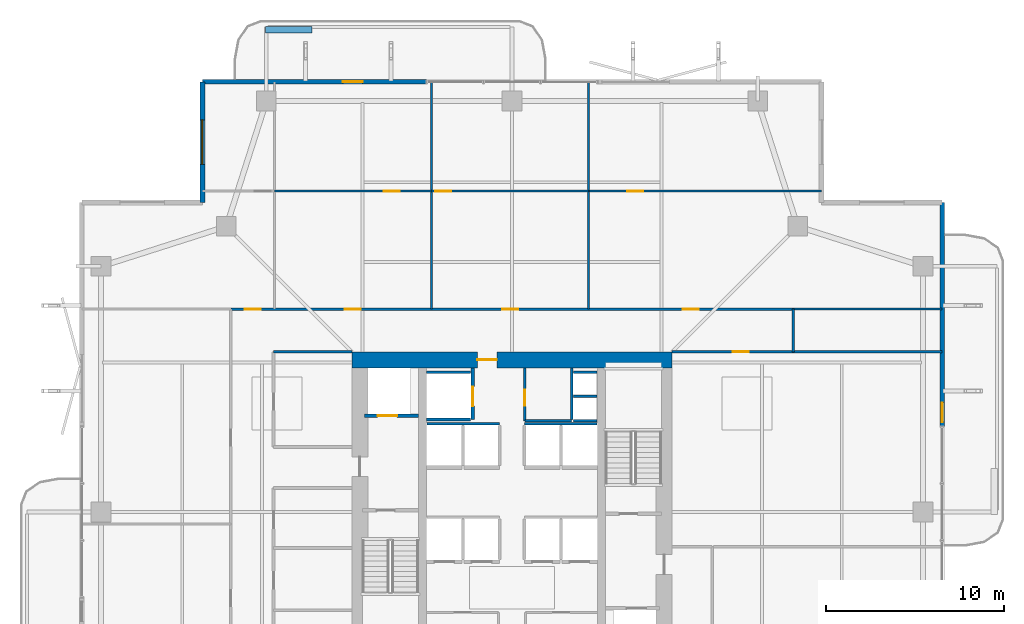
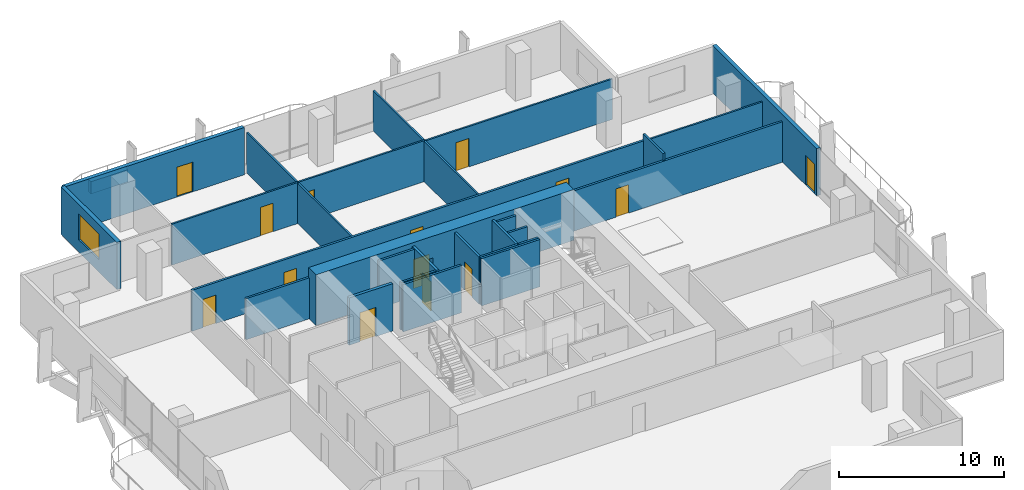
# One storey, part 20 of 24: 27 walls, 14 doors, 1 window, 15 openings.
"""IFC4 building model written with IfcOpenShell, lengths in metres."""

from ifc_helpers import new_model, si_unit, direction, frame, frame_2d, origin, place, context, subcontext, project, spatial, rectangle, extrude, material, layer, layer_set, type_object, element, fill, save


model = new_model("IFC4")

# Units and contexts
model_context = context("Model", 3, precision=1e-05, world=origin(), true_north=direction((0.0, 1.0)))
body_context = subcontext(model_context, "Body", "Model", "MODEL_VIEW")
ifc_project = project(units=[si_unit("LENGTHUNIT", "METRE"), si_unit("AREAUNIT", "SQUARE_METRE"), si_unit("VOLUMEUNIT", "CUBIC_METRE"), si_unit("PLANEANGLEUNIT", "RADIAN"), si_unit("MASSUNIT", "GRAM", prefix="KILO")], contexts=[model_context])

# Site, building, storey
site_placement = place(None, origin())
site = spatial("IfcSite", under=ifc_project, at=site_placement, CompositionType="ELEMENT")
building_placement = place(site_placement, origin())
building = spatial("IfcBuilding", under=site, at=building_placement, Name="Belovzor Exchange Tower", CompositionType="ELEMENT")
storey_placement = place(building_placement, frame((0.0, 0.0, 145.800048828125)))
storey = spatial("IfcBuildingStorey", under=building, at=storey_placement, Name="L35", CompositionType="ELEMENT", Elevation=145.800048828125)

# Wall, opening, door
ifc_material_1 = material(Name="Acoustic Plasterboard on Galvanised Studs", Category="gypsum")
ifc_layer_1 = layer(ifc_material_1, 0.1201171875)
ifc_layer_set_1 = layer_set([ifc_layer_1], Name="Acoustic Plasterboard on Galvanised Studs")
wall_type_1 = type_object("IfcWallType", Name="Acoustic Double-Stud Partition Wall 120", PredefinedType="PARTITIONING", material=ifc_layer_set_1)
wall_1_placement = place(storey_placement, frame((15.443115234375, 46.833984375, 0.0), z_axis=(0.0, 0.0, 1.0), x_axis=(1.0, 0.0, 0.0)))
wall_1 = element("IfcWall", 1, at=wall_1_placement, inside=storey, type_object=wall_type_1, Name="W-P120 Partition Wall W-L35-NHDIV-1", PredefinedType="PARTITIONING", context=body_context, shape_type="SweptSolid", body=[
    extrude(rectangle(XDim=8.830810546875, YDim=0.1201171875, at=frame_2d((4.41552734375, 0.0))), origin(), (0.0, 0.0, 1.0), 3.030029296875),
])
opening_1_placement = place(wall_1_placement, frame((6.162109375, 0.0, 0.0)))
opening_1 = element("IfcOpeningElement", 2, at=opening_1_placement, cuts=wall_1, Name="Opening D-INT-090", PredefinedType="OPENING", context=body_context, shape_type="SweptSolid", body=[
    extrude(rectangle(XDim=0.89990234375, YDim=2.10009765625, at=frame_2d((0.449951171875, 1.050048828125))), frame((0.0, 0.070068359375, 0.0), z_axis=(0.0, -1.0, 0.0), x_axis=(1.0, 0.0, 0.0)), (0.0, 0.0, 1.0), 0.14013671875),
])
ifc_material_2 = material(Name="Veneered Hardwood Acoustic Leaf", Category="wood")
door_type_1 = type_object("IfcDoorType", Name="Trading Suite Acoustic Single Door 900x2100", OperationType="NOTDEFINED", PredefinedType="DOOR", material=ifc_material_2)
door_1_placement = place(opening_1_placement, origin())
door_1 = element("IfcDoor", 3, at=door_1_placement, inside=storey, type_object=door_type_1, Name="D-INT-090 Trading Suite Acoustic Single Door 900x2100", OperationType="SINGLE_SWING_RIGHT", OverallHeight=2.10009765625, OverallWidth=0.89990234375, PredefinedType="DOOR", context=body_context, shape_type="SweptSolid", body=[
    extrude(rectangle(XDim=0.89990234375, YDim=2.10009765625, at=frame_2d((0.449951171875, 1.050048828125))), frame((0.0, 0.02490234375, 0.0), z_axis=(0.0, -1.0, 0.0), x_axis=(1.0, 0.0, 0.0)), (0.0, 0.0, 1.0), 0.050048828125),
])
fill(opening_1, door_1)

# Wall
wall_2_placement = place(storey_placement, frame((24.27392578125, 40.199951171875, 0.0), z_axis=(0.0, 0.0, 1.0), x_axis=(0.0, 1.0, 0.0)))
element("IfcWall", 4, at=wall_2_placement, inside=storey, type_object=wall_type_1, Name="W-P120 Partition Wall W-L35-NDIV-2", PredefinedType="PARTITIONING", context=body_context, shape_type="SweptSolid", body=[
    extrude(rectangle(XDim=12.77001953125, YDim=0.1201171875, at=frame_2d((6.385009765625, 0.0))), origin(), (0.0, 0.0, 1.0), 2.97998046875),
])

# Wall, opening, door
wall_3_placement = place(storey_placement, frame((24.27392578125, 46.833984375, 0.0), z_axis=(0.0, 0.0, 1.0), x_axis=(1.0, 0.0, 0.0)))
wall_3 = element("IfcWall", 5, at=wall_3_placement, inside=storey, type_object=wall_type_1, Name="W-P120 Partition Wall W-L35-NHDIV-2", PredefinedType="PARTITIONING", context=body_context, shape_type="SweptSolid", body=[
    extrude(rectangle(XDim=8.8310546875, YDim=0.1201171875, at=frame_2d((4.41552734375, 0.0))), origin(), (0.0, 0.0, 1.0), 3.030029296875),
])
opening_2_placement = place(wall_3_placement, frame((0.199951171875, 0.0, 0.0)))
opening_2 = element("IfcOpeningElement", 6, at=opening_2_placement, cuts=wall_3, Name="Opening D-INT-090", PredefinedType="OPENING", context=body_context, shape_type="SweptSolid", body=[
    extrude(rectangle(XDim=0.89990234375, YDim=2.10009765625, at=frame_2d((0.449951171875, 1.050048828125))), frame((0.0, 0.070068359375, 0.0), z_axis=(0.0, -1.0, 0.0), x_axis=(1.0, 0.0, 0.0)), (0.0, 0.0, 1.0), 0.14013671875),
])
door_2_placement = place(opening_2_placement, origin())
door_2 = element("IfcDoor", 7, at=door_2_placement, inside=storey, type_object=door_type_1, Name="D-INT-090 Trading Suite Acoustic Single Door 900x2100", OperationType="SINGLE_SWING_RIGHT", OverallHeight=2.10009765625, OverallWidth=0.89990234375, PredefinedType="DOOR", context=body_context, shape_type="SweptSolid", body=[
    extrude(rectangle(XDim=0.89990234375, YDim=2.10009765625, at=frame_2d((0.449951171875, 1.050048828125))), frame((0.0, 0.02490234375, 0.0), z_axis=(0.0, -1.0, 0.0), x_axis=(1.0, 0.0, 0.0)), (0.0, 0.0, 1.0), 0.050048828125),
])
fill(opening_2, door_2)

# Wall
wall_4_placement = place(storey_placement, frame((33.10498046875, 40.199951171875, 0.0), z_axis=(0.0, 0.0, 1.0), x_axis=(0.0, 1.0, 0.0)))
element("IfcWall", 8, at=wall_4_placement, inside=storey, type_object=wall_type_1, Name="W-P120 Partition Wall W-L35-NDIV-3", PredefinedType="PARTITIONING", context=body_context, shape_type="SweptSolid", body=[
    extrude(rectangle(XDim=12.77001953125, YDim=0.1201171875, at=frame_2d((6.385009765625, 0.0))), origin(), (0.0, 0.0, 1.0), 2.97998046875),
])

# Wall, opening, door
wall_5_placement = place(storey_placement, frame((33.10498046875, 46.833984375, 0.0), z_axis=(0.0, 0.0, 1.0), x_axis=(1.0, 0.0, 0.0)))
wall_5 = element("IfcWall", 9, at=wall_5_placement, inside=storey, type_object=wall_type_1, Name="W-P120 Partition Wall W-L35-NHDIV-3", PredefinedType="PARTITIONING", context=body_context, shape_type="SweptSolid", body=[
    extrude(rectangle(XDim=13.094970703125, YDim=0.1201171875, at=frame_2d((6.54736328125, 0.0))), origin(), (0.0, 0.0, 1.0), 2.97998046875),
])
opening_3_placement = place(wall_5_placement, frame((2.166015625, 0.0, 0.0)))
opening_3 = element("IfcOpeningElement", 10, at=opening_3_placement, cuts=wall_5, Name="Opening D-INT-090", PredefinedType="OPENING", context=body_context, shape_type="SweptSolid", body=[
    extrude(rectangle(XDim=0.89990234375, YDim=2.10009765625, at=frame_2d((0.449951171875, 1.050048828125))), frame((0.0, 0.070068359375, 0.0), z_axis=(0.0, -1.0, 0.0), x_axis=(1.0, 0.0, 0.0)), (0.0, 0.0, 1.0), 0.14013671875),
])
door_3_placement = place(opening_3_placement, origin())
door_3 = element("IfcDoor", 11, at=door_3_placement, inside=storey, type_object=door_type_1, Name="D-INT-090 Trading Suite Acoustic Single Door 900x2100", OperationType="SINGLE_SWING_RIGHT", OverallHeight=2.10009765625, OverallWidth=0.89990234375, PredefinedType="DOOR", context=body_context, shape_type="SweptSolid", body=[
    extrude(rectangle(XDim=0.89990234375, YDim=2.10009765625, at=frame_2d((0.449951171875, 1.050048828125))), frame((0.0, 0.02490234375, 0.0), z_axis=(0.0, -1.0, 0.0), x_axis=(1.0, 0.0, 0.0)), (0.0, 0.0, 1.0), 0.050048828125),
])
fill(opening_3, door_3)

# Wall
wall_6_placement = place(storey_placement, frame((44.60009765625, 40.199951171875, 0.0), z_axis=(0.0, 0.0, 1.0), x_axis=(1.0, 0.0, 0.0)))
element("IfcWall", 12, at=wall_6_placement, inside=storey, type_object=wall_type_1, Name="W-P120 Partition Wall W-L35-END-NE", PredefinedType="PARTITIONING", context=body_context, shape_type="SweptSolid", body=[
    extrude(rectangle(XDim=8.369873046875, YDim=0.1201171875, at=frame_2d((4.18505859375, 0.0))), origin(), (0.0, 0.0, 1.0), 2.97998046875),
])

# Wall, opening, door
ifc_material_3 = material(Name="Fire-Rated Gypsum Block and Mineral Wool", Category="gypsum")
ifc_layer_2 = layer(ifc_material_3, 0.14990234375)
ifc_layer_set_2 = layer_set([ifc_layer_2], Name="Fire-Rated Gypsum Block and Mineral Wool")
wall_type_2 = type_object("IfcWallType", Name="Fire-Rated Gypsum Block Corridor Wall 150", PredefinedType="PARTITIONING", material=ifc_layer_set_2)
wall_7_placement = place(storey_placement, frame((29.52490234375, 33.925048828125, 0.0), z_axis=(0.0, 0.0, 1.0), x_axis=(0.0, 1.0, 0.0)))
wall_7 = element("IfcWall", 13, at=wall_7_placement, inside=storey, type_object=wall_type_2, Name="W-P150 Partition Wall W-CRV-L35-W", PredefinedType="PARTITIONING", context=body_context, shape_type="SweptSolid", body=[
    extrude(rectangle(XDim=2.974853515625, YDim=0.14990234375, at=frame_2d((1.4873046875, 0.0))), origin(), (0.0, 0.0, 1.0), 3.494873046875),
])
opening_4_placement = place(wall_7_placement, frame((0.85009765625, 0.0, 0.0)))
opening_4 = element("IfcOpeningElement", 14, at=opening_4_placement, cuts=wall_7, Name="Opening D-FD60-090", PredefinedType="OPENING", context=body_context, shape_type="SweptSolid", body=[
    extrude(rectangle(XDim=0.89990234375, YDim=2.10009765625, at=frame_2d((0.449951171875, 1.050048828125))), frame((0.0, 0.0849609375, 0.0), z_axis=(0.0, -1.0, 0.0), x_axis=(1.0, 0.0, 0.0)), (0.0, 0.0, 1.0), 0.169921875),
])
ifc_material_4 = material(Name="Acoustic Timber Fire Leaf", Category="wood")
door_type_2 = type_object("IfcDoorType", Name="Core Service & Restroom Fire Door 900x2100", OperationType="NOTDEFINED", PredefinedType="DOOR", material=ifc_material_4)
door_4_placement = place(opening_4_placement, origin())
door_4 = element("IfcDoor", 15, at=door_4_placement, inside=storey, type_object=door_type_2, Name="D-FD60-090 Core Service & Restroom Fire Door 900x2100", OperationType="SINGLE_SWING_LEFT", OverallHeight=2.10009765625, OverallWidth=0.89990234375, PredefinedType="DOOR", context=body_context, shape_type="SweptSolid", body=[
    extrude(rectangle(XDim=0.89990234375, YDim=2.10009765625, at=frame_2d((0.449951171875, 1.050048828125))), frame((0.0, 0.02490234375, 0.0), z_axis=(0.0, -1.0, 0.0), x_axis=(1.0, 0.0, 0.0)), (0.0, 0.0, 1.0), 0.050048828125),
])
fill(opening_4, door_4)

# Walls
wall_8_placement = place(storey_placement, frame((29.52490234375, 33.925048828125, 0.0), z_axis=(0.0, 0.0, 1.0), x_axis=(1.0, 0.0, 0.0)))
element("IfcWall", 16, at=wall_8_placement, inside=storey, type_object=wall_type_2, Name="W-P150 Partition Wall W-CRV-L35-S", PredefinedType="PARTITIONING", context=body_context, shape_type="SweptSolid", body=[
    extrude(rectangle(XDim=2.625, YDim=0.14990234375, at=frame_2d((1.3125, 0.0))), origin(), (0.0, 0.0, 1.0), 3.494873046875),
])
wall_9_placement = place(storey_placement, frame((15.39990234375, 37.800048828125, 0.0), z_axis=(0.0, 0.0, 1.0), x_axis=(1.0, 0.0, 0.0)))
element("IfcWall", 17, at=wall_9_placement, inside=storey, type_object=wall_type_2, Name="W-P150 Partition Wall W-L35-INW-N", PredefinedType="PARTITIONING", context=body_context, shape_type="SweptSolid", body=[
    extrude(rectangle(XDim=4.400146484375, YDim=0.14990234375, at=frame_2d((2.2001953125, 0.0))), origin(), (0.0, 0.0, 1.0), 3.030029296875),
])
wall_10_placement = place(storey_placement, frame((44.60009765625, 37.800048828125, 0.0), z_axis=(0.0, 0.0, 1.0), x_axis=(0.0, 1.0, 0.0)))
element("IfcWall", 18, at=wall_10_placement, inside=storey, type_object=wall_type_2, Name="W-P150 Partition Wall W-L35-END-EN", PredefinedType="PARTITIONING", context=body_context, shape_type="SweptSolid", body=[
    extrude(rectangle(XDim=2.39990234375, YDim=0.14990234375, at=frame_2d((1.199951171875, 0.0))), origin(), (0.0, 0.0, 1.0), 3.494873046875),
])

# Wall, opening, door
wall_11_placement = place(storey_placement, frame((37.800048828125, 37.800048828125, 0.0), z_axis=(0.0, 0.0, 1.0), x_axis=(1.0, 0.0, 0.0)))
wall_11 = element("IfcWall", 19, at=wall_11_placement, inside=storey, type_object=wall_type_2, Name="W-P150 Partition Wall W-L35-CN-IN", PredefinedType="PARTITIONING", context=body_context, shape_type="SweptSolid", body=[
    extrude(rectangle(XDim=15.169921875, YDim=0.14990234375, at=frame_2d((7.5849609375, 0.0))), origin(), (0.0, 0.0, 1.0), 2.97998046875),
])
opening_5_placement = place(wall_11_placement, frame((3.39990234375, 0.0, 0.0)))
opening_5 = element("IfcOpeningElement", 20, at=opening_5_placement, cuts=wall_11, Name="Opening D-INT-090", PredefinedType="OPENING", context=body_context, shape_type="SweptSolid", body=[
    extrude(rectangle(XDim=0.89990234375, YDim=2.10009765625, at=frame_2d((0.449951171875, 1.050048828125))), frame((0.0, 0.0849609375, 0.0), z_axis=(0.0, -1.0, 0.0), x_axis=(1.0, 0.0, 0.0)), (0.0, 0.0, 1.0), 0.169921875),
])
door_5_placement = place(opening_5_placement, origin())
door_5 = element("IfcDoor", 21, at=door_5_placement, inside=storey, type_object=door_type_1, Name="D-INT-090 Trading Suite Acoustic Single Door 900x2100", OperationType="SINGLE_SWING_RIGHT", OverallHeight=2.10009765625, OverallWidth=0.89990234375, PredefinedType="DOOR", context=body_context, shape_type="SweptSolid", body=[
    extrude(rectangle(XDim=0.89990234375, YDim=2.10009765625, at=frame_2d((0.449951171875, 1.050048828125))), frame((0.0, 0.02490234375, 0.0), z_axis=(0.0, -1.0, 0.0), x_axis=(1.0, 0.0, 0.0)), (0.0, 0.0, 1.0), 0.050048828125),
])
fill(opening_5, door_5)

# Wall, openings, doors
wall_12_placement = place(storey_placement, frame((13.0, 40.199951171875, 0.0), z_axis=(0.0, 0.0, 1.0), x_axis=(1.0, 0.0, 0.0)))
wall_12 = element("IfcWall", 22, at=wall_12_placement, inside=storey, type_object=wall_type_2, Name="W-P150 Partition Wall W-L35-CN", PredefinedType="PARTITIONING", context=body_context, shape_type="SweptSolid", body=[
    extrude(rectangle(XDim=31.60009765625, YDim=0.14990234375, at=frame_2d((15.800048828125, 0.0))), origin(), (0.0, 0.0, 1.0), 3.030029296875),
])
opening_6_placement = place(wall_12_placement, frame((0.77099609375, 0.0, 0.0)))
opening_6 = element("IfcOpeningElement", 23, at=opening_6_placement, cuts=wall_12, Name="Opening D-INT-090", PredefinedType="OPENING", context=body_context, shape_type="SweptSolid", body=[
    extrude(rectangle(XDim=0.89990234375, YDim=2.10009765625, at=frame_2d((0.449951171875, 1.050048828125))), frame((0.0, 0.0849609375, 0.0), z_axis=(0.0, -1.0, 0.0), x_axis=(1.0, 0.0, 0.0)), (0.0, 0.0, 1.0), 0.169921875),
])
opening_7_placement = place(wall_12_placement, frame((6.408935546875, 0.0, 0.0)))
opening_7 = element("IfcOpeningElement", 24, at=opening_7_placement, cuts=wall_12, Name="Opening D-INT-090", PredefinedType="OPENING", context=body_context, shape_type="SweptSolid", body=[
    extrude(rectangle(XDim=0.89990234375, YDim=2.10009765625, at=frame_2d((0.449951171875, 1.050048828125))), frame((0.0, 0.0849609375, 0.0), z_axis=(0.0, -1.0, 0.0), x_axis=(1.0, 0.0, 0.0)), (0.0, 0.0, 1.0), 0.169921875),
])
opening_8_placement = place(wall_12_placement, frame((15.239013671875, 0.0, 0.0)))
opening_8 = element("IfcOpeningElement", 25, at=opening_8_placement, cuts=wall_12, Name="Opening D-INT-090", PredefinedType="OPENING", context=body_context, shape_type="SweptSolid", body=[
    extrude(rectangle(XDim=0.89990234375, YDim=2.10009765625, at=frame_2d((0.449951171875, 1.050048828125))), frame((0.0, 0.0849609375, 0.0), z_axis=(0.0, -1.0, 0.0), x_axis=(1.0, 0.0, 0.0)), (0.0, 0.0, 1.0), 0.169921875),
])
opening_9_placement = place(wall_12_placement, frame((25.402099609375, 0.0, 0.0)))
opening_9 = element("IfcOpeningElement", 26, at=opening_9_placement, cuts=wall_12, Name="Opening D-INT-090", PredefinedType="OPENING", context=body_context, shape_type="SweptSolid", body=[
    extrude(rectangle(XDim=0.89990234375, YDim=2.10009765625, at=frame_2d((0.449951171875, 1.050048828125))), frame((0.0, 0.0849609375, 0.0), z_axis=(0.0, -1.0, 0.0), x_axis=(1.0, 0.0, 0.0)), (0.0, 0.0, 1.0), 0.169921875),
])
door_6_placement = place(opening_6_placement, origin())
door_6 = element("IfcDoor", 27, at=door_6_placement, inside=storey, type_object=door_type_1, Name="D-INT-090 Trading Suite Acoustic Single Door 900x2100", OperationType="SINGLE_SWING_RIGHT", OverallHeight=2.10009765625, OverallWidth=0.89990234375, PredefinedType="DOOR", context=body_context, shape_type="SweptSolid", body=[
    extrude(rectangle(XDim=0.89990234375, YDim=2.10009765625, at=frame_2d((0.449951171875, 1.050048828125))), frame((0.0, 0.02490234375, 0.0), z_axis=(0.0, -1.0, 0.0), x_axis=(1.0, 0.0, 0.0)), (0.0, 0.0, 1.0), 0.050048828125),
])
fill(opening_6, door_6)
door_7_placement = place(opening_7_placement, origin())
door_7 = element("IfcDoor", 28, at=door_7_placement, inside=storey, type_object=door_type_1, Name="D-INT-090 Trading Suite Acoustic Single Door 900x2100", OperationType="SINGLE_SWING_LEFT", OverallHeight=2.10009765625, OverallWidth=0.89990234375, PredefinedType="DOOR", context=body_context, shape_type="SweptSolid", body=[
    extrude(rectangle(XDim=0.89990234375, YDim=2.10009765625, at=frame_2d((0.449951171875, 1.050048828125))), frame((0.0, 0.02490234375, 0.0), z_axis=(0.0, -1.0, 0.0), x_axis=(1.0, 0.0, 0.0)), (0.0, 0.0, 1.0), 0.050048828125),
])
fill(opening_7, door_7)
door_8_placement = place(opening_8_placement, origin())
door_8 = element("IfcDoor", 29, at=door_8_placement, inside=storey, type_object=door_type_1, Name="D-INT-090 Trading Suite Acoustic Single Door 900x2100", OperationType="SINGLE_SWING_RIGHT", OverallHeight=2.10009765625, OverallWidth=0.89990234375, PredefinedType="DOOR", context=body_context, shape_type="SweptSolid", body=[
    extrude(rectangle(XDim=0.89990234375, YDim=2.10009765625, at=frame_2d((0.449951171875, 1.050048828125))), frame((0.0, 0.02490234375, 0.0), z_axis=(0.0, -1.0, 0.0), x_axis=(1.0, 0.0, 0.0)), (0.0, 0.0, 1.0), 0.050048828125),
])
fill(opening_8, door_8)
door_9_placement = place(opening_9_placement, origin())
door_9 = element("IfcDoor", 30, at=door_9_placement, inside=storey, type_object=door_type_1, Name="D-INT-090 Trading Suite Acoustic Single Door 900x2100", OperationType="SINGLE_SWING_LEFT", OverallHeight=2.10009765625, OverallWidth=0.89990234375, PredefinedType="DOOR", context=body_context, shape_type="SweptSolid", body=[
    extrude(rectangle(XDim=0.89990234375, YDim=2.10009765625, at=frame_2d((0.449951171875, 1.050048828125))), frame((0.0, 0.02490234375, 0.0), z_axis=(0.0, -1.0, 0.0), x_axis=(1.0, 0.0, 0.0)), (0.0, 0.0, 1.0), 0.050048828125),
])
fill(opening_9, door_9)

# Wall, opening, window
ifc_material_5 = material(Name="Precast concrete C40/50", Category="concrete")
ifc_layer_3 = layer(ifc_material_5, 0.280029296875)
ifc_layer_set_3 = layer_set([ifc_layer_3], Name="Precast concrete C40/50")
wall_type_3 = type_object("IfcWallType", Name="Precast Concrete Notched Corner Frame Wall 280", PredefinedType="SOLIDWALL", material=ifc_layer_set_3)
wall_13_placement = place(storey_placement, frame((11.39990234375, 46.199951171875, 0.0), z_axis=(0.0, 0.0, 1.0), x_axis=(0.0, 1.0, 0.0)))
wall_13 = element("IfcWall", 31, at=wall_13_placement, inside=storey, type_object=wall_type_3, Name="W-CRN280 Precast Concrete Notched Corner Frame Wall 280 L35", PredefinedType="SOLIDWALL", context=body_context, shape_type="SweptSolid", body=[
    extrude(rectangle(XDim=6.77001953125, YDim=0.280029296875, at=frame_2d((3.385009765625, 0.0))), origin(), (0.0, 0.0, 1.0), 3.494873046875),
])
opening_10_placement = place(wall_13_placement, frame((2.135009765625, 0.0, 0.89990234375)))
opening_10 = element("IfcOpeningElement", 32, at=opening_10_placement, cuts=wall_13, Name="Opening WN-CRN250", PredefinedType="OPENING", context=body_context, shape_type="SweptSolid", body=[
    extrude(rectangle(XDim=2.5, YDim=1.89990234375, at=frame_2d((1.25, 0.949951171875))), frame((0.0, 0.14990234375, 0.0), z_axis=(0.0, -1.0, 0.0), x_axis=(1.0, 0.0, 0.0)), (0.0, 0.0, 1.0), 0.300048828125),
])
ifc_material_6 = material(Name="Thermally Broken Aluminium and Triple Glazing", Category="aluminium")
window_type = type_object("IfcWindowType", Name="Streamline Moderne Corner Wrap Ribbon Window 2500x1900", PartitioningType="SINGLE_PANEL", PredefinedType="WINDOW", material=ifc_material_6)
window_placement = place(opening_10_placement, origin())
window = element("IfcWindow", 33, at=window_placement, inside=storey, type_object=window_type, Name="WN-CRN250 Streamline Moderne Corner Wrap Ribbon Window 2500x1900", OverallHeight=1.89990234375, OverallWidth=2.5, PartitioningType="SINGLE_PANEL", PredefinedType="WINDOW", context=body_context, shape_type="SweptSolid", body=[
    extrude(rectangle(XDim=2.5, YDim=1.89990234375, at=frame_2d((1.25, 0.949951171875))), frame((0.0, 0.030029296875, 0.0), z_axis=(0.0, -1.0, 0.0), x_axis=(1.0, 0.0, 0.0)), (0.0, 0.0, 1.0), 0.06005859375),
])
fill(opening_10, window)

# Wall, opening, door
ifc_material_7 = material(Name="Precast concrete C40/50", Category="concrete")
ifc_layer_4 = layer(ifc_material_7, 0.260009765625)
ifc_layer_set_4 = layer_set([ifc_layer_4], Name="Precast concrete C40/50")
wall_type_4 = type_object("IfcWallType", Name="Precast Concrete Perimeter Loggia Frame Wall 260", PredefinedType="SOLIDWALL", material=ifc_layer_set_4)
wall_14_placement = place(storey_placement, frame((11.39990234375, 52.969970703125, 0.0), z_axis=(0.0, 0.0, 1.0), x_axis=(1.0, 0.0, 0.0)))
wall_14 = element("IfcWall", 34, at=wall_14_placement, inside=storey, type_object=wall_type_4, Name="W-EXT260 Precast Concrete Perimeter Loggia Frame Wall 260 L35", PredefinedType="SOLIDWALL", context=body_context, shape_type="SweptSolid", body=[
    extrude(rectangle(XDim=12.60009765625, YDim=0.260009765625, at=frame_2d((6.300048828125, 0.0))), origin(), (0.0, 0.0, 1.0), 3.494873046875),
])
opening_11_placement = place(wall_14_placement, frame((7.90087890625, 0.0, 0.0)))
opening_11 = element("IfcOpeningElement", 35, at=opening_11_placement, cuts=wall_14, Name="Opening D-BAL110", PredefinedType="OPENING", context=body_context, shape_type="SweptSolid", body=[
    extrude(rectangle(XDim=1.10009765625, YDim=2.199951171875, at=frame_2d((0.550048828125, 1.10009765625))), frame((0.0, 0.139892578125, 0.0), z_axis=(0.0, -1.0, 0.0), x_axis=(1.0, 0.0, 0.0)), (0.0, 0.0, 1.0), 0.280029296875),
])
ifc_material_8 = material(Name="Thermally Broken Anodised Aluminium and Laminated Glass", Category="aluminium")
door_type_3 = type_object("IfcDoorType", Name="Planted Loggia Terrace Glazed Door 1100x2200", OperationType="SINGLE_SWING_LEFT", PredefinedType="DOOR", material=ifc_material_8)
door_10_placement = place(opening_11_placement, origin())
door_10 = element("IfcDoor", 36, at=door_10_placement, inside=storey, type_object=door_type_3, Name="D-BAL110 Balcony Terrace Door L35 N", OperationType="SINGLE_SWING_RIGHT", OverallHeight=2.199951171875, OverallWidth=1.10009765625, PredefinedType="DOOR", context=body_context, shape_type="SweptSolid", body=[
    extrude(rectangle(XDim=1.10009765625, YDim=2.199951171875, at=frame_2d((0.550048828125, 1.10009765625))), frame((0.0, 0.02490234375, 0.0), z_axis=(0.0, -1.0, 0.0), x_axis=(1.0, 0.0, 0.0)), (0.0, 0.0, 1.0), 0.050048828125),
])
fill(opening_11, door_10)

wall_15_placement = place(storey_placement, frame((52.969970703125, 46.199951171875, 0.0), z_axis=(0.0, 0.0, 1.0), x_axis=(0.0, -1.0, 0.0)))
wall_15 = element("IfcWall", 37, at=wall_15_placement, inside=storey, type_object=wall_type_4, Name="W-EXT260 Precast Concrete Perimeter Loggia Frame Wall 260 L35", PredefinedType="SOLIDWALL", context=body_context, shape_type="SweptSolid", body=[
    extrude(rectangle(XDim=12.599853515625, YDim=0.260009765625, at=frame_2d((6.2998046875, 0.0))), origin(), (0.0, 0.0, 1.0), 3.494873046875),
])
opening_12_placement = place(wall_15_placement, frame((11.25, 0.0, 0.0)))
opening_12 = element("IfcOpeningElement", 38, at=opening_12_placement, cuts=wall_15, Name="Opening D-BAL110", PredefinedType="OPENING", context=body_context, shape_type="SweptSolid", body=[
    extrude(rectangle(XDim=1.10009765625, YDim=2.199951171875, at=frame_2d((0.550048828125, 1.10009765625))), frame((0.0, 0.139892578125, 0.0), z_axis=(0.0, -1.0, 0.0), x_axis=(1.0, 0.0, 0.0)), (0.0, 0.0, 1.0), 0.280029296875),
])
door_11_placement = place(opening_12_placement, origin())
door_11 = element("IfcDoor", 39, at=door_11_placement, inside=storey, type_object=door_type_3, Name="D-BAL110 Balcony Terrace Door L35 E", OperationType="SINGLE_SWING_LEFT", OverallHeight=2.199951171875, OverallWidth=1.10009765625, PredefinedType="DOOR", context=body_context, shape_type="SweptSolid", body=[
    extrude(rectangle(XDim=1.10009765625, YDim=2.199951171875, at=frame_2d((0.550048828125, 1.10009765625))), frame((0.0, 0.02490234375, 0.0), z_axis=(0.0, -1.0, 0.0), x_axis=(1.0, 0.0, 0.0)), (0.0, 0.0, 1.0), 0.050048828125),
])
fill(opening_12, door_11)

# Walls
ifc_material_9 = material(Name="Precast concrete C40/50", Category="concrete")
ifc_layer_5 = layer(ifc_material_9, 0.35009765625)
ifc_layer_set_5 = layer_set([ifc_layer_5], Name="Precast concrete C40/50")
wall_type_5 = type_object("IfcWallType", Name="Precast Concrete Structural Tree Planter Trough 350", PredefinedType="PARAPET", material=ifc_layer_set_5)
wall_16_placement = place(storey_placement, frame((14.949951171875, 55.89990234375, 0.0), z_axis=(0.0, 0.0, 1.0), x_axis=(1.0, 0.0, 0.0)))
element("IfcWall", 40, at=wall_16_placement, inside=storey, type_object=wall_type_5, Name="PT-350 Precast Concrete Structural Tree Planter Trough 350 L35", PredefinedType="PARAPET", context=body_context, shape_type="SweptSolid", body=[
    extrude(rectangle(XDim=2.60009765625, YDim=0.35009765625, at=frame_2d((1.300048828125, 0.0))), origin(), (0.0, 0.0, 1.0), 0.89990234375),
])
ifc_material_10 = material(Name="Concrete C50/60", Category="concrete")
ifc_layer_6 = layer(ifc_material_10, 0.14990234375)
ifc_layer_set_6 = layer_set([ifc_layer_6], Name="Concrete C50/60")
wall_type_6 = type_object("IfcWallType", Name="Reinforced Concrete Core Riser Shear Wall 150", PredefinedType="SHEAR", material=ifc_layer_set_6)
wall_17_placement = place(storey_placement, frame((32.14990234375, 34.0, 0.0), z_axis=(0.0, 0.0, 1.0), x_axis=(0.0, 1.0, 0.0)))
element("IfcWall", 41, at=wall_17_placement, inside=storey, type_object=wall_type_6, Name="W-C150S Core Shaft Wall W-RSR-L35-E", PredefinedType="SHEAR", context=body_context, shape_type="SweptSolid", body=[
    extrude(rectangle(XDim=2.89990234375, YDim=0.14990234375, at=frame_2d((1.449951171875, 0.0))), origin(), (0.0, 0.0, 1.0), 3.494873046875),
])
for number, where, z_axis, x_axis, name in (
    (42, (32.25, 33.925048828125, 0.0), (0.0, 0.0, 1.0), (1.0, 0.0, 0.0), "W-C150S Core Shaft Wall W-RSR-L35-S"),
    (43, (32.25, 35.300048828125, 0.0), (0.0, 0.0, 1.0), (1.0, 0.0, 0.0), "W-C150S Core Shaft Wall W-RSR-L35-M"),
):
    element("IfcWall", number, at=place(storey_placement, frame(where, z_axis=z_axis, x_axis=x_axis)), inside=storey, type_object=wall_type_6, Name=name, PredefinedType="SHEAR", context=body_context, shape_type="SweptSolid", body=[
        extrude(rectangle(XDim=1.330078125, YDim=0.14990234375, at=frame_2d((0.6650390625, 0.0))), origin(), (0.0, 0.0, 1.0), 3.494873046875),
    ])
for number, where, z_axis, x_axis, name in (
    (44, (24.0, 34.0, 0.0), (0.0, 0.0, 1.0), (1.0, 0.0, 0.0), "W-C150S Core Shaft Wall W-SH-L35-SL-01S"),
    (45, (24.0, 36.64990234375, 0.0), (0.0, 0.0, 1.0), (1.0, 0.0, 0.0), "W-C150S Core Shaft Wall W-SH-L35-SL-01N"),
):
    element("IfcWall", number, at=place(storey_placement, frame(where, z_axis=z_axis, x_axis=x_axis)), inside=storey, type_object=wall_type_6, Name=name, PredefinedType="SHEAR", context=body_context, shape_type="SweptSolid", body=[
        extrude(rectangle(XDim=2.47998046875, YDim=0.14990234375, at=frame_2d((1.239990234375, 0.0))), origin(), (0.0, 0.0, 1.0), 3.494873046875),
    ])
wall_18_placement = place(storey_placement, frame((32.25, 36.64990234375, 0.0), z_axis=(0.0, 0.0, 1.0), x_axis=(1.0, 0.0, 0.0)))
element("IfcWall", 46, at=wall_18_placement, inside=storey, type_object=wall_type_6, Name="W-C150S Core Shaft Wall W-RSR-L35-N", PredefinedType="SHEAR", context=body_context, shape_type="SweptSolid", body=[
    extrude(rectangle(XDim=1.330078125, YDim=0.14990234375, at=frame_2d((0.6650390625, 0.0))), origin(), (0.0, 0.0, 1.0), 3.494873046875),
])
for number, where, z_axis, x_axis, name in (
    (47, (24.02001953125, 33.760009765625, 0.0), (0.0, 0.0, 1.0), (1.0, 0.0, 0.0), "W-C150S Core Shaft Wall W-SHB-L35-PLH-NW"),
    (48, (29.5, 33.760009765625, 0.0), (0.0, 0.0, 1.0), (1.0, 0.0, 0.0), "W-C150S Core Shaft Wall W-SHB-L35-PLH-NE"),
):
    element("IfcWall", number, at=place(storey_placement, frame(where, z_axis=z_axis, x_axis=x_axis)), inside=storey, type_object=wall_type_6, Name=name, PredefinedType="SHEAR", context=body_context, shape_type="SweptSolid", body=[
        extrude(rectangle(XDim=4.080078125, YDim=0.14990234375, at=frame_2d((2.0400390625, 0.0))), origin(), (0.0, 0.0, 1.0), 3.494873046875),
    ])

# Wall, opening, door
ifc_material_11 = material(Name="Concrete C50/60", Category="concrete")
ifc_layer_7 = layer(ifc_material_11, 0.199951171875)
ifc_layer_set_7 = layer_set([ifc_layer_7], Name="Concrete C50/60")
wall_type_7 = type_object("IfcWallType", Name="Reinforced Concrete Core Shaft Shear Wall 200", PredefinedType="SHEAR", material=ifc_layer_set_7)
wall_19_placement = place(storey_placement, frame((20.5, 34.199951171875, 0.0), z_axis=(0.0, 0.0, 1.0), x_axis=(1.0, 0.0, 0.0)))
wall_19 = element("IfcWall", 49, at=wall_19_placement, inside=storey, type_object=wall_type_7, Name="W-C200S Core Shaft Wall W-SH-L35-FFL-01", PredefinedType="SHEAR", context=body_context, shape_type="SweptSolid", body=[
    extrude(rectangle(XDim=3.050048828125, YDim=0.199951171875, at=frame_2d((1.52490234375, 0.0))), origin(), (0.0, 0.0, 1.0), 3.494873046875),
])
opening_13_placement = place(wall_19_placement, frame((0.75, 0.0, 0.0)))
opening_13 = element("IfcOpeningElement", 50, at=opening_13_placement, cuts=wall_19, Name="Opening LD-110", PredefinedType="OPENING", context=body_context, shape_type="SweptSolid", body=[
    extrude(rectangle(XDim=1.10009765625, YDim=2.14990234375, at=frame_2d((0.550048828125, 1.074951171875))), frame((0.0, 0.10986328125, 0.0), z_axis=(0.0, -1.0, 0.0), x_axis=(1.0, 0.0, 0.0)), (0.0, 0.0, 1.0), 0.219970703125),
])
ifc_material_12 = material(Name="Stainless Steel Grade 304", Category="steel")
door_type_4 = type_object("IfcDoorType", Name="Automated Stainless Steel Lift Landing Door 1100x2150", OperationType="SLIDING_TO_RIGHT", PredefinedType="DOOR", material=ifc_material_12)
door_12_placement = place(opening_13_placement, origin())
door_12 = element("IfcDoor", 51, at=door_12_placement, inside=storey, type_object=door_type_4, Name="LD-110 Automated Stainless Steel Lift Landing Door 1100x2150", OperationType="SLIDING_TO_RIGHT", OverallHeight=2.14990234375, OverallWidth=1.10009765625, PredefinedType="DOOR", context=body_context, shape_type="SweptSolid", body=[
    extrude(rectangle(XDim=1.10009765625, YDim=2.14990234375, at=frame_2d((0.550048828125, 1.074951171875))), frame((0.0, 0.02490234375, 0.0), z_axis=(0.0, -1.0, 0.0), x_axis=(1.0, 0.0, 0.0)), (0.0, 0.0, 1.0), 0.050048828125),
])
fill(opening_13, door_12)

wall_20_placement = place(storey_placement, frame((26.60009765625, 34.0, 0.0), z_axis=(0.0, 0.0, 1.0), x_axis=(0.0, 1.0, 0.0)))
wall_20 = element("IfcWall", 52, at=wall_20_placement, inside=storey, type_object=wall_type_7, Name="W-C200S Core Shaft Wall W-SH-L35-SL-01", PredefinedType="SHEAR", context=body_context, shape_type="SweptSolid", body=[
    extrude(rectangle(XDim=2.89990234375, YDim=0.199951171875, at=frame_2d((1.449951171875, 0.0))), origin(), (0.0, 0.0, 1.0), 3.494873046875),
])
opening_14_placement = place(wall_20_placement, frame((0.75, 0.0, 0.0)))
opening_14 = element("IfcOpeningElement", 53, at=opening_14_placement, cuts=wall_20, Name="Opening LD-110", PredefinedType="OPENING", context=body_context, shape_type="SweptSolid", body=[
    extrude(rectangle(XDim=1.10009765625, YDim=2.14990234375, at=frame_2d((0.550048828125, 1.074951171875))), frame((0.0, 0.10986328125, 0.0), z_axis=(0.0, -1.0, 0.0), x_axis=(1.0, 0.0, 0.0)), (0.0, 0.0, 1.0), 0.219970703125),
])
door_13_placement = place(opening_14_placement, origin())
door_13 = element("IfcDoor", 54, at=door_13_placement, inside=storey, type_object=door_type_4, Name="LD-110 Automated Stainless Steel Lift Landing Door 1100x2150", OperationType="SLIDING_TO_RIGHT", OverallHeight=2.14990234375, OverallWidth=1.10009765625, PredefinedType="DOOR", context=body_context, shape_type="SweptSolid", body=[
    extrude(rectangle(XDim=1.10009765625, YDim=2.14990234375, at=frame_2d((0.550048828125, 1.074951171875))), frame((0.0, 0.02490234375, 0.0), z_axis=(0.0, -1.0, 0.0), x_axis=(1.0, 0.0, 0.0)), (0.0, 0.0, 1.0), 0.050048828125),
])
fill(opening_14, door_13)

ifc_material_13 = material(Name="Concrete C60/75", Category="concrete")
ifc_layer_8 = layer(ifc_material_13, 0.89990234375)
ifc_layer_set_8 = layer_set([ifc_layer_8], Name="Concrete C60/75")
wall_type_8 = type_object("IfcWallType", Name="Reinforced Concrete Core Shear Wall 900", PredefinedType="SHEAR", material=ifc_layer_set_8)
wall_21_placement = place(storey_placement, frame((19.800048828125, 37.35009765625, 0.0), z_axis=(0.0, 0.0, 1.0), x_axis=(1.0, 0.0, 0.0)))
wall_21 = element("IfcWall", 55, at=wall_21_placement, inside=storey, type_object=wall_type_8, Name="CW-S090 Core Shear Wall L35 N", PredefinedType="SHEAR", context=body_context, shape_type="SweptSolid", body=[
    extrude(rectangle(XDim=18.0, YDim=0.89990234375, at=frame_2d((9.0, 0.0))), origin(), (0.0, 0.0, 1.0), 3.75),
])
opening_15_placement = place(wall_21_placement, frame((7.050048828125, 0.0, 0.0)))
opening_15 = element("IfcOpeningElement", 56, at=opening_15_placement, cuts=wall_21, Name="Opening D-FD90-110", PredefinedType="OPENING", context=body_context, shape_type="SweptSolid", body=[
    extrude(rectangle(XDim=1.10009765625, YDim=2.14990234375, at=frame_2d((0.550048828125, 1.074951171875))), frame((0.0, 0.4599609375, 0.0), z_axis=(0.0, -1.0, 0.0), x_axis=(1.0, 0.0, 0.0)), (0.0, 0.0, 1.0), 0.919921875),
])
ifc_material_14 = material(Name="Fire-Rated Galvanised Steel Leaf", Category="steel")
door_type_5 = type_object("IfcDoorType", Name="Protected Escape Vestibule Fire Door 1100x2150", OperationType="NOTDEFINED", PredefinedType="DOOR", material=ifc_material_14)
door_14_placement = place(opening_15_placement, origin())
door_14 = element("IfcDoor", 57, at=door_14_placement, inside=storey, type_object=door_type_5, Name="D-FD90-110 Protected Escape Vestibule Fire Door 1100x2150", OperationType="SINGLE_SWING_RIGHT", OverallHeight=2.14990234375, OverallWidth=1.10009765625, PredefinedType="DOOR", context=body_context, shape_type="SweptSolid", body=[
    extrude(rectangle(XDim=1.10009765625, YDim=2.14990234375, at=frame_2d((0.550048828125, 1.074951171875))), frame((0.0, 0.02490234375, 0.0), z_axis=(0.0, -1.0, 0.0), x_axis=(1.0, 0.0, 0.0)), (0.0, 0.0, 1.0), 0.050048828125),
])
fill(opening_15, door_14)

save(model, "model.ifc")
